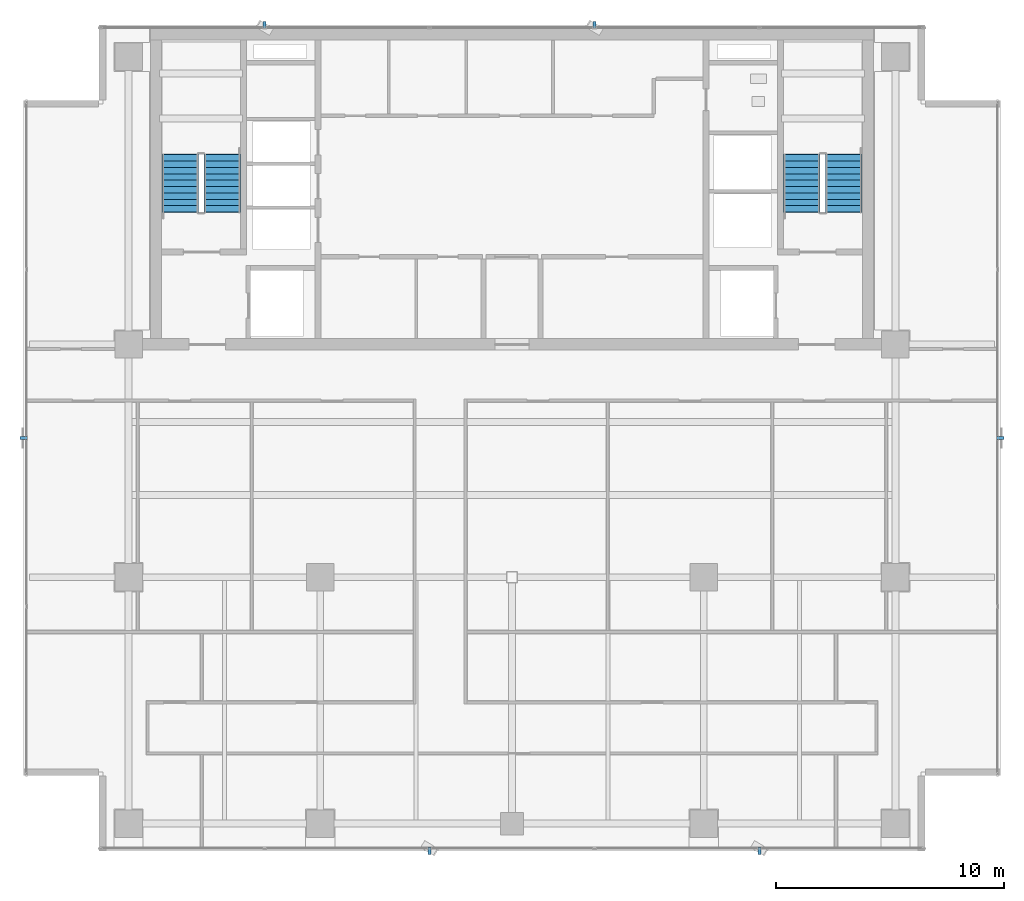
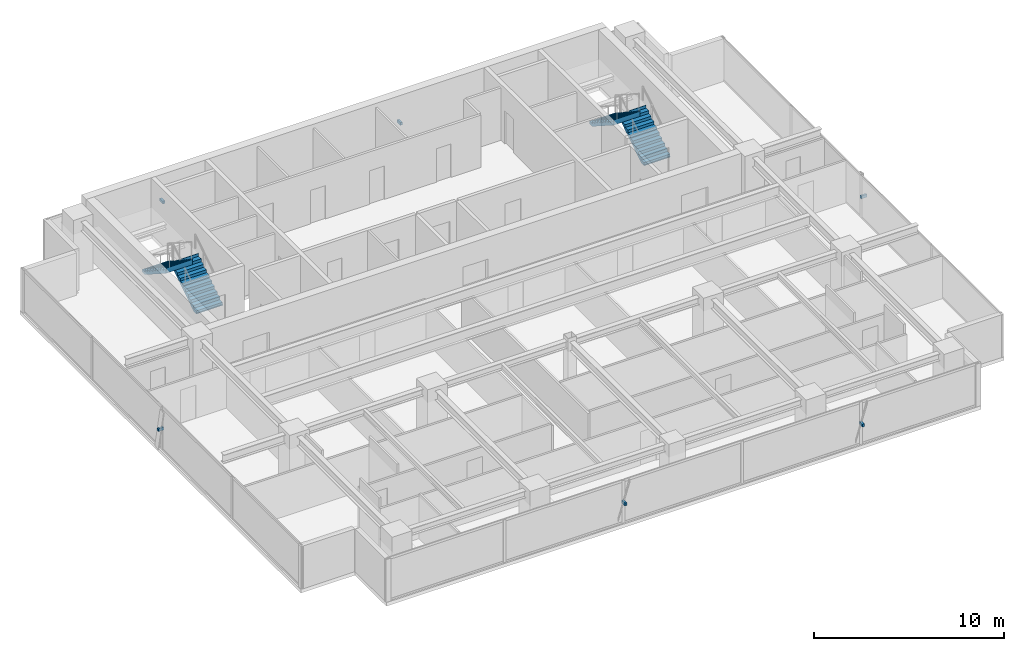
# One storey, part 18 of 23: 6 discrete accessories, 4 stair flights, 2 elements without a shape of their own.
"""IFC4 building model written with IfcOpenShell, lengths in metres."""

from ifc_helpers import new_model, si_unit, direction, frame, origin, origin_2d, place, context, subcontext, project, spatial, polyline, rectangle, outline, extrude, source, transform, mapped, material, material_profile, profile_set, type_object, element, aggregate, save


model = new_model("IFC4")

# Units and contexts
model_context = context("Model", 3, precision=1e-05, world=origin(), true_north=direction((0.0, 1.0)))
body_context = subcontext(model_context, "Body", "Model", "MODEL_VIEW")
ifc_project = project(units=[si_unit("LENGTHUNIT", "METRE"), si_unit("AREAUNIT", "SQUARE_METRE"), si_unit("VOLUMEUNIT", "CUBIC_METRE"), si_unit("PLANEANGLEUNIT", "RADIAN"), si_unit("MASSUNIT", "GRAM", prefix="KILO")], contexts=[model_context])

# Site, building, storey
site_placement = place(None, origin())
site = spatial("IfcSite", under=ifc_project, at=site_placement, CompositionType="ELEMENT")
building_placement = place(site_placement, origin())
building = spatial("IfcBuilding", under=site, at=building_placement, Name="Sumidabori Civic Tower", CompositionType="ELEMENT")
storey_placement = place(building_placement, frame((0.0, 0.0, 275.60009765625)))
storey = spatial("IfcBuildingStorey", under=building, at=storey_placement, Name="L72", CompositionType="ELEMENT", Elevation=275.60009765625)

# Stair, stair flights
ifc_material_1 = material(Name="Concrete C40/50", Category="concrete")
stair_type = type_object("IfcStairType", Name="ST-CORE-1600", PredefinedType="HALF_TURN_STAIR", material=ifc_material_1)
stair_1_placement = place(storey_placement, origin())
stair_1 = element("IfcStair", 1, at=stair_1_placement, inside=storey, type_object=stair_type, Name="L72 ST-1", PredefinedType="HALF_TURN_STAIR")
stair_flight_type = type_object("IfcStairFlightType", Name="SF-CORE-1600", PredefinedType="STRAIGHT", material=ifc_material_1)
shared_shape_1 = source(origin(), body_context, "Body", "SweptSolid", [
    extrude(outline(polyline([(-0.02490234375, 0.0), (-0.02490234375, 0.0400390625), (0.0, 0.0400390625), (0.0, 0.179931640625), (0.280029296875, 0.179931640625), (0.280029296875, 0.360107421875), (0.56005859375, 0.360107421875), (0.56005859375, 0.5400390625), (0.840087890625, 0.5400390625), (0.840087890625, 0.719970703125), (1.1201171875, 0.719970703125), (1.1201171875, 0.89990234375), (1.39990234375, 0.89990234375), (1.39990234375, 1.080078125), (1.679931640625, 1.080078125), (1.679931640625, 1.260009765625), (1.9599609375, 1.260009765625), (1.9599609375, 1.43994140625), (2.239990234375, 1.43994140625), (2.239990234375, 1.6201171875), (2.52001953125, 1.6201171875), (2.52001953125, 1.800048828125), (2.544921875, 1.800048828125), (2.544921875, 1.650146484375), (2.52001953125, 1.44189453125), (0.277099609375, 0.0), (-0.02490234375, 0.0)])), frame((0.0, 0.800048828125, 0.0), z_axis=(0.0, -1.0, 0.0), x_axis=(1.0, 0.0, 0.0)), (0.0, 0.0, 1.0), 1.60009765625),
])
stair_flight_1_placement = place(storey_placement, frame((-12.699951171875, 16.0, 0.0), z_axis=(0.0, 0.0, 1.0), x_axis=(0.0, 1.0, 0.0)))
stair_flight_1 = element("IfcStairFlight", 2, at=stair_flight_1_placement, type_object=stair_flight_type, Name="ST-1 flight 1", NumberOfRisers=10, NumberOfTreads=9, PredefinedType="STRAIGHT", RiserHeight=0.18, TreadLength=0.28, context=body_context, shape_type="MappedRepresentation", body=[
    mapped(shared_shape_1, transform((0.0, 0.0, 0.0), x_axis=(1.0, 0.0, 0.0), y_axis=(0.0, 1.0, 0.0), z_axis=(0.0, 0.0, 1.0), scale=1.0)),
])
stair_flight_2_placement = place(storey_placement, frame((-14.5400390625, 18.52001953125, 1.7998046875), z_axis=(0.0, 0.0, 1.0), x_axis=(0.0, -1.0, 0.0)))
stair_flight_2 = element("IfcStairFlight", 3, at=stair_flight_2_placement, type_object=stair_flight_type, Name="ST-1 flight 2", NumberOfRisers=10, NumberOfTreads=9, PredefinedType="STRAIGHT", RiserHeight=0.18, TreadLength=0.28, context=body_context, shape_type="MappedRepresentation", body=[
    mapped(shared_shape_1, transform((0.0, 0.0, 0.0), x_axis=(1.0, 0.0, 0.0), y_axis=(0.0, 1.0, 0.0), z_axis=(0.0, 0.0, 1.0), scale=1.0)),
])
aggregate(stair_1, [stair_flight_1, stair_flight_2])

stair_2_placement = place(storey_placement, origin())
stair_2 = element("IfcStair", 4, at=stair_2_placement, inside=storey, type_object=stair_type, Name="L72 ST-2", PredefinedType="HALF_TURN_STAIR")
stair_flight_3_placement = place(storey_placement, frame((14.5400390625, 16.0, 0.0), z_axis=(0.0, 0.0, 1.0), x_axis=(0.0, 1.0, 0.0)))
stair_flight_3 = element("IfcStairFlight", 5, at=stair_flight_3_placement, type_object=stair_flight_type, Name="ST-2 flight 1", NumberOfRisers=10, NumberOfTreads=9, PredefinedType="STRAIGHT", RiserHeight=0.18, TreadLength=0.28, context=body_context, shape_type="MappedRepresentation", body=[
    mapped(shared_shape_1, transform((0.0, 0.0, 0.0), x_axis=(1.0, 0.0, 0.0), y_axis=(0.0, 1.0, 0.0), z_axis=(0.0, 0.0, 1.0), scale=1.0)),
])
stair_flight_4_placement = place(storey_placement, frame((12.699951171875, 18.52001953125, 1.7998046875), z_axis=(0.0, 0.0, 1.0), x_axis=(0.0, -1.0, 0.0)))
stair_flight_4 = element("IfcStairFlight", 6, at=stair_flight_4_placement, type_object=stair_flight_type, Name="ST-2 flight 2", NumberOfRisers=10, NumberOfTreads=9, PredefinedType="STRAIGHT", RiserHeight=0.18, TreadLength=0.28, context=body_context, shape_type="MappedRepresentation", body=[
    mapped(shared_shape_1, transform((0.0, 0.0, 0.0), x_axis=(1.0, 0.0, 0.0), y_axis=(0.0, 1.0, 0.0), z_axis=(0.0, 0.0, 1.0), scale=1.0)),
])
aggregate(stair_2, [stair_flight_3, stair_flight_4])

# Discrete accessories
ifc_material_2 = material(Name="Stainless Steel Hairline Finish", Category="steel")
ifc_material_profile = material_profile(ifc_material_2, rectangle(XDim=0.1201171875, YDim=0.179931640625, at=origin_2d()), Name="STEEL BRACKET 180x120")
ifc_profile_set = profile_set([ifc_material_profile], Name="Stainless Steel Hairline Finish")
discrete_accessory_type = type_object("IfcDiscreteAccessoryType", Name="AC-BRK-180", PredefinedType="BRACKET", material=ifc_profile_set)
shared_shape_2 = source(origin(), body_context, "Body", "SweptSolid", [
    extrude(rectangle(XDim=0.1201171875, YDim=0.179931640625, at=origin_2d()), origin(), (0.0, 0.0, 1.0), 0.329833984375),
])
for number, where, z_axis, x_axis, name in (
    (7, (-3.614013671875, -11.830078125, 1.364990234375), (0.0, -1.0, 0.0), (1.0, 0.0, 0.0), "Bronze Fin Fixing Bracket L72-02"),
    (8, (10.842041015625, -11.830078125, 1.364990234375), (0.0, -1.0, 0.0), (1.0, 0.0, 0.0), "Bronze Fin Fixing Bracket L72-04"),
):
    element("IfcDiscreteAccessory", number, at=place(storey_placement, frame(where, z_axis=z_axis, x_axis=x_axis)), inside=storey, type_object=discrete_accessory_type, Name=name, PredefinedType="BRACKET", context=body_context, shape_type="MappedRepresentation", body=[
        mapped(shared_shape_2, transform((0.0, 0.0, 0.0), x_axis=(1.0, 0.0, 0.0), y_axis=(0.0, 1.0, 0.0), z_axis=(0.0, 0.0, 1.0), scale=1.0)),
    ])
shared_shape_3 = source(origin(), body_context, "Body", "SweptSolid", [
    extrude(rectangle(XDim=0.1201171875, YDim=0.179931640625, at=origin_2d()), origin(), (0.0, 0.0, 1.0), 0.330078125),
])
for number, where, z_axis, x_axis, name in (
    (9, (21.22998046875, 6.10009765625, 1.364990234375), (1.0, 0.0, 0.0), (0.0, 1.0, 0.0), "Bronze Fin Fixing Bracket L72-02"),
    (10, (3.614013671875, 24.030029296875, 1.364990234375), (0.0, 1.0, 0.0), (-1.0, 0.0, 0.0), "Bronze Fin Fixing Bracket L72-02"),
    (11, (-10.842041015625, 24.030029296875, 1.364990234375), (0.0, 1.0, 0.0), (-1.0, 0.0, 0.0), "Bronze Fin Fixing Bracket L72-04"),
    (12, (-21.22998046875, 6.10009765625, 1.364990234375), (-1.0, 0.0, 0.0), (0.0, -1.0, 0.0), "Bronze Fin Fixing Bracket L72-02"),
):
    element("IfcDiscreteAccessory", number, at=place(storey_placement, frame(where, z_axis=z_axis, x_axis=x_axis)), inside=storey, type_object=discrete_accessory_type, Name=name, PredefinedType="BRACKET", context=body_context, shape_type="MappedRepresentation", body=[
        mapped(shared_shape_3, transform((0.0, 0.0, 0.0), x_axis=(1.0, 0.0, 0.0), y_axis=(0.0, 1.0, 0.0), z_axis=(0.0, 0.0, 1.0), scale=1.0)),
    ])

save(model, "model.ifc")
